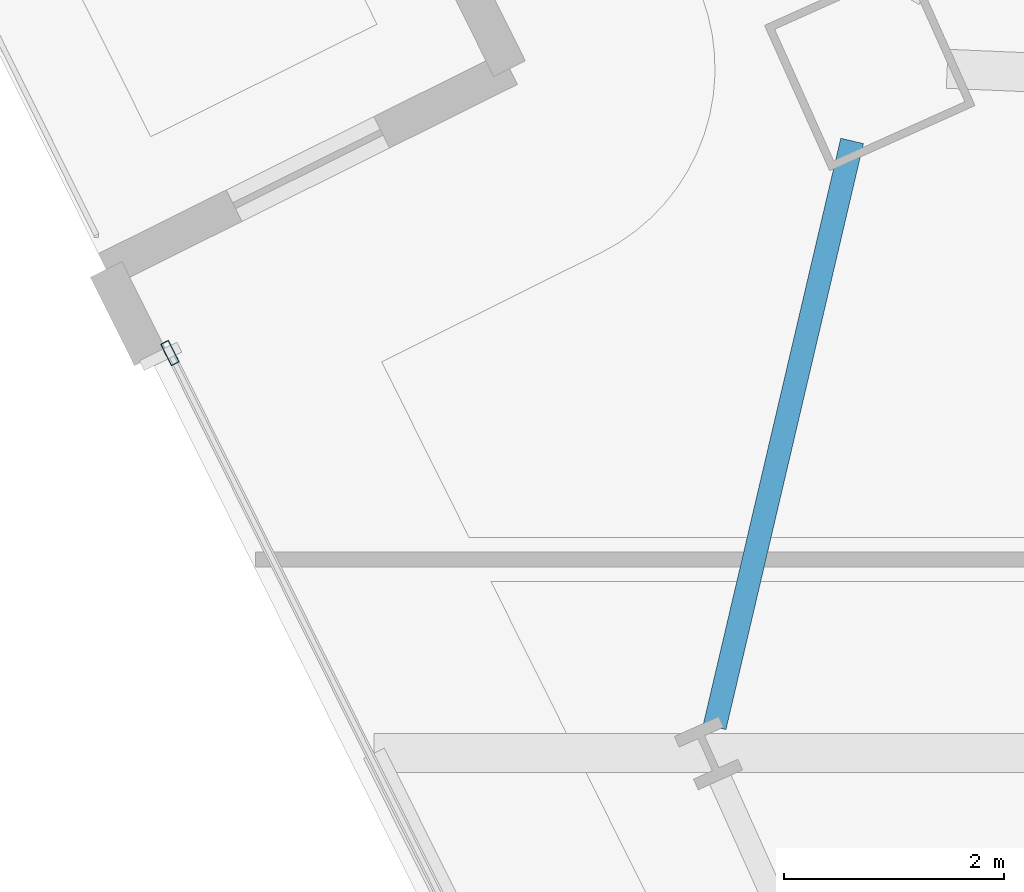
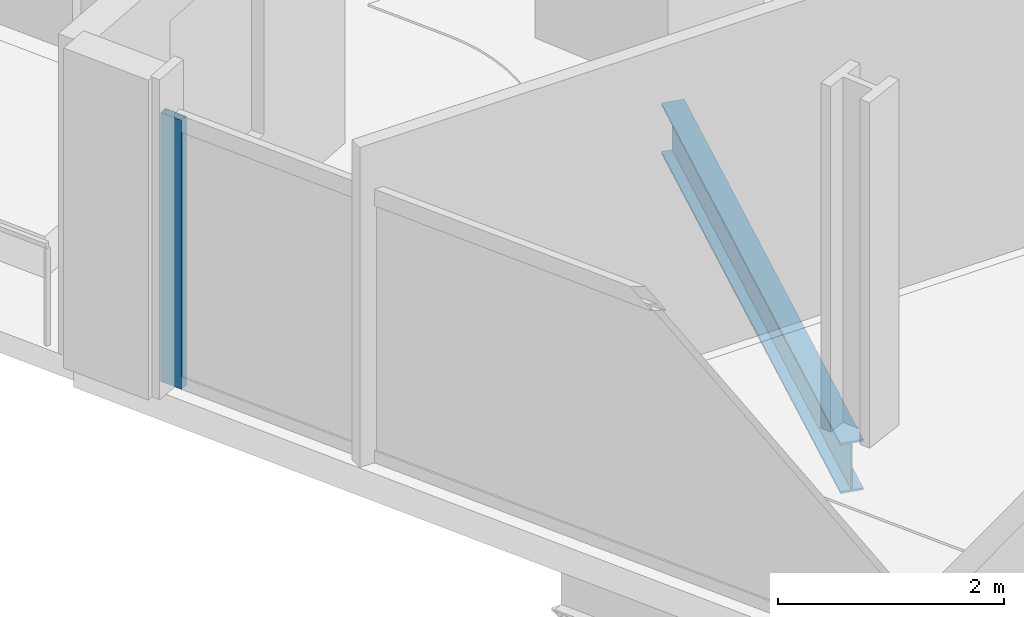
# One storey, part 13 of 35: 1 beam, 1 member, 1 element without a shape of its own.
"""IFC4 building model written with IfcOpenShell, lengths in metres."""

from ifc_helpers import new_model, si_unit, direction, frame, origin, origin_2d, place, context, subcontext, project, spatial, hollow_rectangle, i_section, extrude, material, material_profile, profile_set, type_object, element, aggregate, save


model = new_model("IFC4")

# Units and contexts
model_context = context("Model", 3, precision=1e-05, world=origin(), true_north=direction((0.0, 1.0)))
body_context = subcontext(model_context, "Body", "Model", "MODEL_VIEW")
ifc_project = project(units=[si_unit("LENGTHUNIT", "METRE"), si_unit("AREAUNIT", "SQUARE_METRE"), si_unit("VOLUMEUNIT", "CUBIC_METRE"), si_unit("PLANEANGLEUNIT", "RADIAN"), si_unit("MASSUNIT", "GRAM", prefix="KILO")], contexts=[model_context])

# Site, building, storey
site_placement = place(None, origin())
site = spatial("IfcSite", under=ifc_project, at=site_placement, CompositionType="ELEMENT")
building_placement = place(site_placement, origin())
building = spatial("IfcBuilding", under=site, at=building_placement, Name="Haldenkirk Collegiate Tower", CompositionType="ELEMENT")
storey_placement = place(building_placement, frame((0.0, 0.0, 116.699951171875)))
storey = spatial("IfcBuildingStorey", under=building, at=storey_placement, Name="L28", CompositionType="ELEMENT", Elevation=116.699951171875)

# Beam
ifc_material_1 = material(Name="Steel ASTM A992 Grade 50", Category="steel")
ifc_material_profile_1 = material_profile(ifc_material_1, i_section(OverallWidth=0.2119140625, OverallDepth=0.5439453125, WebThickness=0.01318359375, FlangeThickness=0.021240234375, at=origin_2d()), Name="W21X83")
ifc_profile_set_1 = profile_set([ifc_material_profile_1], Name="Steel ASTM A992 Grade 50")
beam_type = type_object("IfcBeamType", Name="BM-SPANDREL-W21X83", PredefinedType="SPANDREL", material=ifc_profile_set_1)
beam_placement = place(storey_placement, frame((10.624755859375, 34.0087890625, -0.572021484375), z_axis=(-0.228373515871, -0.97357359108, 0.0), x_axis=(0.97357359108, -0.228373515871, 0.0)))
element("IfcBeam", 1, at=beam_placement, inside=storey, type_object=beam_type, Name="L28 perimeter spandrel beam 13", PredefinedType="SPANDREL", context=body_context, shape_type="SweptSolid", body=[
    extrude(i_section(OverallWidth=0.2119140625, OverallDepth=0.5439453125, WebThickness=0.01318359375, FlangeThickness=0.021240234375, at=origin_2d()), origin(), (0.0, 0.0, 1.0), 5.477783203125),
])

# Curtain wall, member
ifc_material_2 = material(Name="Anodised architectural bronze aluminium", Category="aluminium")
curtain_wall_type = type_object("IfcCurtainWallType", Name="CW-SYS1-CONVEX-LOW", PredefinedType="USERDEFINED", material=ifc_material_2)
curtain_wall_placement = place(storey_placement, origin())
curtain_wall = element("IfcCurtainWall", 2, at=curtain_wall_placement, inside=storey, type_object=curtain_wall_type, Name="L28 Lower tower convex bronze-framed unitised curtain wall", ObjectType="UNITISED CURTAIN WALL", PredefinedType="USERDEFINED")
ifc_material_profile_2 = material_profile(ifc_material_2, hollow_rectangle(XDim=0.080078125, YDim=0.219970703125, WallThickness=0.0048828125, at=origin_2d()), Name="CW-MUL-1A")
ifc_profile_set_2 = profile_set([ifc_material_profile_2], Name="Anodised architectural bronze aluminium")
member_type = type_object("IfcMemberType", Name="CW-MUL-1A", PredefinedType="MULLION", material=ifc_profile_set_2)
member_placement = place(storey_placement, frame((4.41650390625, 32.078369140625, 0.0), z_axis=(0.0, 0.0, 1.0), x_axis=(-0.895324163521, -0.445415134696, 0.0)))
member = element("IfcMember", 3, at=member_placement, type_object=member_type, Name="CW-1A mullion 5", PredefinedType="MULLION", context=body_context, shape_type="SweptSolid", body=[
    extrude(hollow_rectangle(XDim=0.080078125, YDim=0.219970703125, WallThickness=0.0048828125, at=origin_2d()), origin(), (0.0, 0.0, 1.0), 2.901123046875),
])
aggregate(curtain_wall, [member])

save(model, "model.ifc")
